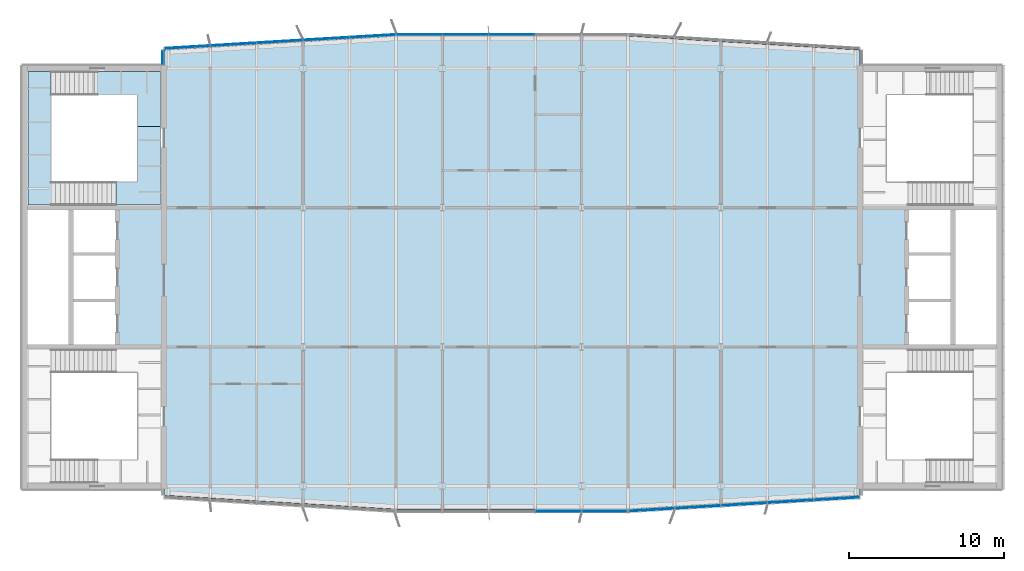
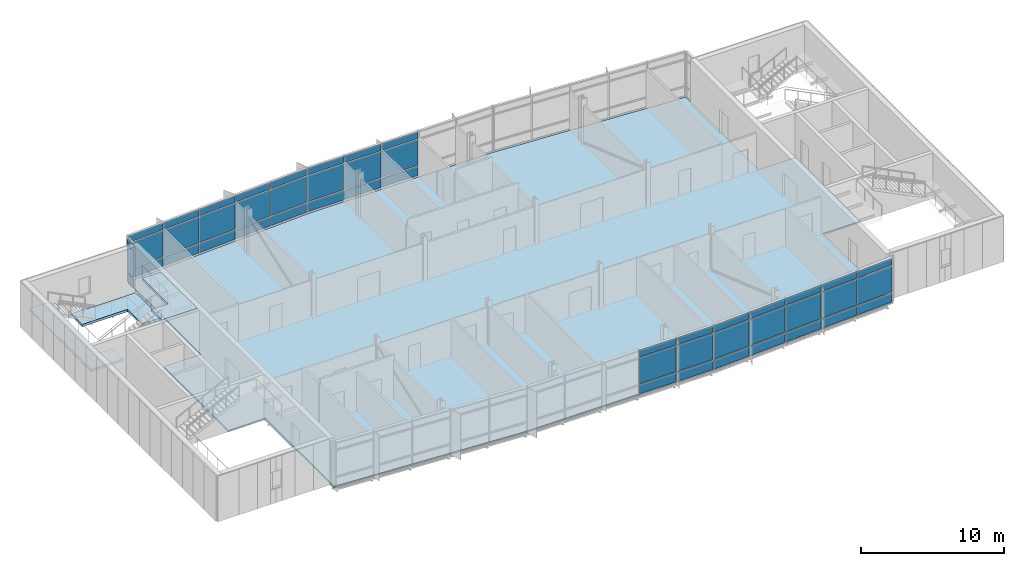
# One storey, part 11 of 21: 48 plates, 4 slabs, 6 elements without a shape of their own.
"""IFC4 building model written with IfcOpenShell, lengths in metres."""

from ifc_helpers import new_model, si_unit, direction, frame, origin, origin_2d, place, context, subcontext, project, spatial, polyline, rectangle, outline, extrude, material, layer, layer_set, type_object, element, aggregate, save


model = new_model("IFC4")

# Units and contexts
model_context = context("Model", 3, precision=1e-05, world=origin(), true_north=direction((0.0, 1.0)))
body_context = subcontext(model_context, "Body", "Model", "MODEL_VIEW")
ifc_project = project(units=[si_unit("LENGTHUNIT", "METRE"), si_unit("AREAUNIT", "SQUARE_METRE"), si_unit("VOLUMEUNIT", "CUBIC_METRE"), si_unit("PLANEANGLEUNIT", "RADIAN"), si_unit("MASSUNIT", "GRAM", prefix="KILO")], contexts=[model_context])

# Site, building, storey
site_placement = place(None, origin())
site = spatial("IfcSite", under=ifc_project, at=site_placement, CompositionType="ELEMENT")
building_placement = place(site_placement, origin())
building = spatial("IfcBuilding", under=site, at=building_placement, Name="Azimuth Sports and Learning Centre", CompositionType="ELEMENT")
storey_placement = place(building_placement, frame((0.0, 0.0, 48.0)))
storey = spatial("IfcBuildingStorey", under=building, at=storey_placement, Name="L10", CompositionType="ELEMENT", Elevation=48.0)

# Slab
ifc_material_1 = material(Name="Concrete C30/37", Category="concrete")
ifc_layer_1 = layer(ifc_material_1, 0.1298828125)
ifc_layer_set_1 = layer_set([ifc_layer_1], Name="Concrete C30/37")
slab_type_1 = type_object("IfcSlabType", Name="Composite floor slab 130", PredefinedType="FLOOR", material=ifc_layer_set_1)
slab_1_placement = place(storey_placement, frame((0.0, 0.0, -0.1298828125)))
element("IfcSlab", 1, at=slab_1_placement, inside=storey, type_object=slab_type_1, Name="Slab TOWER L10", PredefinedType="FLOOR", context=body_context, shape_type="SweptSolid", body=[
    extrude(outline(polyline([(78.0, 88.5), (93.0, 88.5), (108.0, 89.39990234375), (108.0, 99.0), (111.0, 99.0), (111.0, 108.0), (108.0, 108.0), (108.0, 118.199951171875), (93.0, 119.10009765625), (78.0, 119.10009765625), (63.0, 118.199951171875), (63.0, 108.0), (60.0, 108.0), (60.0, 99.0), (63.0, 99.0), (63.0, 89.39990234375), (78.0, 88.5)])), origin(), (0.0, 0.0, 1.0), 0.1298828125),
])

# Stair, slabs
ifc_material_2 = material(Name="Concrete C32/40", Category="concrete")
stair_type = type_object("IfcStairType", Name="Square-well stair core 3900 storey", PredefinedType="THREE_QUARTER_TURN_STAIR", material=ifc_material_2)
stair_placement = place(storey_placement, origin())
stair = element("IfcStair", 2, at=stair_placement, inside=storey, type_object=stair_type, Name="Stair W2 L10-L11", PredefinedType="THREE_QUARTER_TURN_STAIR")
ifc_material_3 = material(Name="Concrete C32/40", Category="concrete")
ifc_layer_2 = layer(ifc_material_3, 0.199951171875)
ifc_layer_set_2 = layer_set([ifc_layer_2], Name="Concrete C32/40")
slab_type_2 = type_object("IfcSlabType", Name="Concrete stair landing", PredefinedType="LANDING", material=ifc_layer_set_2)
slab_2_placement = place(storey_placement, frame((0.0, 0.0, -0.199951171875)))
slab_2 = element("IfcSlab", 3, at=slab_2_placement, type_object=slab_type_2, Name="Stair W2 L10 landing 1", PredefinedType="LANDING", context=body_context, shape_type="SweptSolid", body=[
    extrude(outline(polyline([(57.610107421875, 115.2900390625), (61.2900390625, 115.2900390625), (61.2900390625, 113.25), (62.7900390625, 113.25), (62.7900390625, 116.7900390625), (57.610107421875, 116.7900390625), (57.610107421875, 115.2900390625)])), origin(), (0.0, 0.0, 1.0), 0.199951171875),
])
slab_3_placement = place(storey_placement, frame((0.0, 0.0, 1.449951171875)))
slab_3 = element("IfcSlab", 4, at=slab_3_placement, type_object=slab_type_2, Name="Stair W2 L10 landing 2", PredefinedType="LANDING", context=body_context, shape_type="SweptSolid", body=[
    extrude(outline(polyline([(55.7099609375, 115.2900390625), (55.710693359375, 115.2900390625), (55.710693359375, 116.7900390625), (54.2099609375, 116.7900390625), (54.2099609375, 108.159912109375), (56.81005859375, 108.159912109375), (56.81005859375, 109.659912109375), (55.7099609375, 109.659912109375), (55.7099609375, 115.2900390625)])), origin(), (0.0, 0.0, 1.0), 0.199951171875),
])
slab_4_placement = place(storey_placement, frame((0.0, 0.0, 3.699951171875)))
slab_4 = element("IfcSlab", 5, at=slab_4_placement, type_object=slab_type_2, Name="Stair W2 L10 landing 3", PredefinedType="LANDING", context=body_context, shape_type="SweptSolid", body=[
    extrude(outline(polyline([(61.2900390625, 109.659912109375), (59.9091796875, 109.659912109375), (59.9091796875, 108.159912109375), (62.7900390625, 108.159912109375), (62.7900390625, 113.25), (61.2900390625, 113.25), (61.2900390625, 109.659912109375)])), origin(), (0.0, 0.0, 1.0), 0.199951171875),
])
aggregate(stair, [slab_2, slab_3, slab_4])

# Curtain wall, plates
ifc_material_4 = material(Name="Aluminium and glass", Category="aluminium")
curtain_wall_type_1 = type_object("IfcCurtainWallType", Name="Curtain wall tower south 240", PredefinedType="NOTDEFINED", material=ifc_material_4)
curtain_wall_1_placement = place(storey_placement, origin())
curtain_wall_1 = element("IfcCurtainWall", 6, at=curtain_wall_1_placement, inside=storey, type_object=curtain_wall_type_1, Name="Curtain wall CW10-003", PredefinedType="NOTDEFINED")
ifc_material_5 = material(Name="Insulated aluminium panel", Category="aluminium")
ifc_layer_3 = layer(ifc_material_5, 0.050048828125)
ifc_layer_set_3 = layer_set([ifc_layer_3], Name="Insulated aluminium panel")
plate_type_1 = type_object("IfcPlateType", Name="Spandrel panel 50 mm", PredefinedType="CURTAIN_PANEL", material=ifc_layer_set_3)
plate_1_placement = place(storey_placement, frame((88.5, 88.3798828125, 0.10009765625), z_axis=(0.0, 0.0, 1.0), x_axis=(1.0, 0.0, 0.0)))
plate_1 = element("IfcPlate", 7, at=plate_1_placement, type_object=plate_type_1, Name="CW10-003 panel 4.1", PredefinedType="CURTAIN_PANEL", context=body_context, shape_type="SweptSolid", body=[
    extrude(rectangle(XDim=2.929931640625, YDim=0.050048828125, at=origin_2d()), origin(), (0.0, 0.0, 1.0), 0.75),
])
plate_2_placement = place(storey_placement, frame((88.5, 88.3798828125, 3.25), z_axis=(0.0, 0.0, 1.0), x_axis=(1.0, 0.0, 0.0)))
plate_2 = element("IfcPlate", 8, at=plate_2_placement, type_object=plate_type_1, Name="CW10-003 panel 4.3", PredefinedType="CURTAIN_PANEL", context=body_context, shape_type="SweptSolid", body=[
    extrude(rectangle(XDim=2.929931640625, YDim=0.050048828125, at=origin_2d()), origin(), (0.0, 0.0, 1.0), 0.550048828125),
])
plate_3_placement = place(storey_placement, frame((91.482421875, 88.3798828125, 0.10009765625), z_axis=(0.0, 0.0, 1.0), x_axis=(1.0, 0.0, 0.0)))
plate_3 = element("IfcPlate", 9, at=plate_3_placement, type_object=plate_type_1, Name="CW10-003 panel 5.1", PredefinedType="CURTAIN_PANEL", context=body_context, shape_type="SweptSolid", body=[
    extrude(rectangle(XDim=2.89501953125, YDim=0.050048828125, at=origin_2d()), origin(), (0.0, 0.0, 1.0), 0.75),
])
plate_4_placement = place(storey_placement, frame((91.482421875, 88.3798828125, 3.25), z_axis=(0.0, 0.0, 1.0), x_axis=(1.0, 0.0, 0.0)))
plate_4 = element("IfcPlate", 10, at=plate_4_placement, type_object=plate_type_1, Name="CW10-003 panel 5.3", PredefinedType="CURTAIN_PANEL", context=body_context, shape_type="SweptSolid", body=[
    extrude(rectangle(XDim=2.89501953125, YDim=0.050048828125, at=origin_2d()), origin(), (0.0, 0.0, 1.0), 0.550048828125),
])

curtain_wall_2_placement = place(storey_placement, origin())
curtain_wall_2 = element("IfcCurtainWall", 11, at=curtain_wall_2_placement, inside=storey, type_object=curtain_wall_type_1, Name="Curtain wall CW10-004", PredefinedType="NOTDEFINED")
plate_5_placement = place(storey_placement, frame((94.52099609375, 88.470947265625, 0.10009765625), z_axis=(0.0, 0.0, 1.0), x_axis=(0.998204863401, 0.059891991812, 0.0)))
plate_5 = element("IfcPlate", 12, at=plate_5_placement, type_object=plate_type_1, Name="CW10-004 panel 1.1", PredefinedType="CURTAIN_PANEL", context=body_context, shape_type="SweptSolid", body=[
    extrude(rectangle(XDim=2.90771484375, YDim=0.050048828125, at=origin_2d()), origin(), (0.0, 0.0, 1.0), 0.75),
])
plate_6_placement = place(storey_placement, frame((94.52099609375, 88.470947265625, 3.25), z_axis=(0.0, 0.0, 1.0), x_axis=(0.998204863401, 0.059891991812, 0.0)))
plate_6 = element("IfcPlate", 13, at=plate_6_placement, type_object=plate_type_1, Name="CW10-004 panel 1.3", PredefinedType="CURTAIN_PANEL", context=body_context, shape_type="SweptSolid", body=[
    extrude(rectangle(XDim=2.90771484375, YDim=0.050048828125, at=origin_2d()), origin(), (0.0, 0.0, 1.0), 0.550048828125),
])
plate_7_placement = place(storey_placement, frame((97.507080078125, 88.650146484375, 0.10009765625), z_axis=(0.0, 0.0, 1.0), x_axis=(0.998204863401, 0.059891991812, 0.0)))
plate_7 = element("IfcPlate", 14, at=plate_7_placement, type_object=plate_type_1, Name="CW10-004 panel 2.1", PredefinedType="CURTAIN_PANEL", context=body_context, shape_type="SweptSolid", body=[
    extrude(rectangle(XDim=2.935302734375, YDim=0.050048828125, at=origin_2d()), origin(), (0.0, 0.0, 1.0), 0.75),
])
plate_8_placement = place(storey_placement, frame((97.507080078125, 88.650146484375, 3.25), z_axis=(0.0, 0.0, 1.0), x_axis=(0.998204863401, 0.059891991812, 0.0)))
plate_8 = element("IfcPlate", 15, at=plate_8_placement, type_object=plate_type_1, Name="CW10-004 panel 2.3", PredefinedType="CURTAIN_PANEL", context=body_context, shape_type="SweptSolid", body=[
    extrude(rectangle(XDim=2.935302734375, YDim=0.050048828125, at=origin_2d()), origin(), (0.0, 0.0, 1.0), 0.550048828125),
])
plate_9_placement = place(storey_placement, frame((100.507080078125, 88.830322265625, 0.10009765625), z_axis=(0.0, 0.0, 1.0), x_axis=(0.998204863401, 0.059891991812, 0.0)))
plate_9 = element("IfcPlate", 16, at=plate_9_placement, type_object=plate_type_1, Name="CW10-004 panel 3.1", PredefinedType="CURTAIN_PANEL", context=body_context, shape_type="SweptSolid", body=[
    extrude(rectangle(XDim=2.935302734375, YDim=0.050048828125, at=origin_2d()), origin(), (0.0, 0.0, 1.0), 0.75),
])
plate_10_placement = place(storey_placement, frame((100.507080078125, 88.830322265625, 3.25), z_axis=(0.0, 0.0, 1.0), x_axis=(0.998204863401, 0.059891991812, 0.0)))
plate_10 = element("IfcPlate", 17, at=plate_10_placement, type_object=plate_type_1, Name="CW10-004 panel 3.3", PredefinedType="CURTAIN_PANEL", context=body_context, shape_type="SweptSolid", body=[
    extrude(rectangle(XDim=2.935302734375, YDim=0.050048828125, at=origin_2d()), origin(), (0.0, 0.0, 1.0), 0.550048828125),
])
plate_11_placement = place(storey_placement, frame((103.507080078125, 89.01025390625, 0.10009765625), z_axis=(0.0, 0.0, 1.0), x_axis=(0.998204863401, 0.059891991812, 0.0)))
plate_11 = element("IfcPlate", 18, at=plate_11_placement, type_object=plate_type_1, Name="CW10-004 panel 4.1", PredefinedType="CURTAIN_PANEL", context=body_context, shape_type="SweptSolid", body=[
    extrude(rectangle(XDim=2.935302734375, YDim=0.050048828125, at=origin_2d()), origin(), (0.0, 0.0, 1.0), 0.75),
])
plate_12_placement = place(storey_placement, frame((103.507080078125, 89.01025390625, 3.25), z_axis=(0.0, 0.0, 1.0), x_axis=(0.998204863401, 0.059891991812, 0.0)))
plate_12 = element("IfcPlate", 19, at=plate_12_placement, type_object=plate_type_1, Name="CW10-004 panel 4.3", PredefinedType="CURTAIN_PANEL", context=body_context, shape_type="SweptSolid", body=[
    extrude(rectangle(XDim=2.935302734375, YDim=0.050048828125, at=origin_2d()), origin(), (0.0, 0.0, 1.0), 0.550048828125),
])
plate_13_placement = place(storey_placement, frame((106.48974609375, 89.189208984375, 0.10009765625), z_axis=(0.0, 0.0, 1.0), x_axis=(0.998204863401, 0.059891991812, 0.0)))
plate_13 = element("IfcPlate", 20, at=plate_13_placement, type_object=plate_type_1, Name="CW10-004 panel 5.1", PredefinedType="CURTAIN_PANEL", context=body_context, shape_type="SweptSolid", body=[
    extrude(rectangle(XDim=2.900390625, YDim=0.050048828125, at=origin_2d()), origin(), (0.0, 0.0, 1.0), 0.75),
])
plate_14_placement = place(storey_placement, frame((106.48974609375, 89.189208984375, 3.25), z_axis=(0.0, 0.0, 1.0), x_axis=(0.998204863401, 0.059891991812, 0.0)))
plate_14 = element("IfcPlate", 21, at=plate_14_placement, type_object=plate_type_1, Name="CW10-004 panel 5.3", PredefinedType="CURTAIN_PANEL", context=body_context, shape_type="SweptSolid", body=[
    extrude(rectangle(XDim=2.900390625, YDim=0.050048828125, at=origin_2d()), origin(), (0.0, 0.0, 1.0), 0.550048828125),
])

ifc_material_6 = material(Name="Aluminium and glass", Category="aluminium")
curtain_wall_type_2 = type_object("IfcCurtainWallType", Name="Curtain wall tower north 180", PredefinedType="NOTDEFINED", material=ifc_material_6)
curtain_wall_3_placement = place(storey_placement, origin())
curtain_wall_3 = element("IfcCurtainWall", 22, at=curtain_wall_3_placement, inside=storey, type_object=curtain_wall_type_2, Name="Curtain wall CW10-008", PredefinedType="NOTDEFINED")
plate_15_placement = place(storey_placement, frame((85.5, 119.18994140625, 0.10009765625), z_axis=(0.0, 0.0, 1.0), x_axis=(-1.0, 0.0, 0.0)))
plate_15 = element("IfcPlate", 23, at=plate_15_placement, type_object=plate_type_1, Name="CW10-008 panel 3.1", PredefinedType="CURTAIN_PANEL", context=body_context, shape_type="SweptSolid", body=[
    extrude(rectangle(XDim=2.93994140625, YDim=0.050048828125, at=origin_2d()), origin(), (0.0, 0.0, 1.0), 0.75),
])
plate_16_placement = place(storey_placement, frame((85.5, 119.18994140625, 3.25), z_axis=(0.0, 0.0, 1.0), x_axis=(-1.0, 0.0, 0.0)))
plate_16 = element("IfcPlate", 24, at=plate_16_placement, type_object=plate_type_1, Name="CW10-008 panel 3.3", PredefinedType="CURTAIN_PANEL", context=body_context, shape_type="SweptSolid", body=[
    extrude(rectangle(XDim=2.93994140625, YDim=0.050048828125, at=origin_2d()), origin(), (0.0, 0.0, 1.0), 0.550048828125),
])
plate_17_placement = place(storey_placement, frame((82.5, 119.18994140625, 0.10009765625), z_axis=(0.0, 0.0, 1.0), x_axis=(-1.0, 0.0, 0.0)))
plate_17 = element("IfcPlate", 25, at=plate_17_placement, type_object=plate_type_1, Name="CW10-008 panel 4.1", PredefinedType="CURTAIN_PANEL", context=body_context, shape_type="SweptSolid", body=[
    extrude(rectangle(XDim=2.93994140625, YDim=0.050048828125, at=origin_2d()), origin(), (0.0, 0.0, 1.0), 0.75),
])
plate_18_placement = place(storey_placement, frame((82.5, 119.18994140625, 3.25), z_axis=(0.0, 0.0, 1.0), x_axis=(-1.0, 0.0, 0.0)))
plate_18 = element("IfcPlate", 26, at=plate_18_placement, type_object=plate_type_1, Name="CW10-008 panel 4.3", PredefinedType="CURTAIN_PANEL", context=body_context, shape_type="SweptSolid", body=[
    extrude(rectangle(XDim=2.93994140625, YDim=0.050048828125, at=origin_2d()), origin(), (0.0, 0.0, 1.0), 0.550048828125),
])
plate_19_placement = place(storey_placement, frame((79.514892578125, 119.18994140625, 0.10009765625), z_axis=(0.0, 0.0, 1.0), x_axis=(-1.0, 0.0, 0.0)))
plate_19 = element("IfcPlate", 27, at=plate_19_placement, type_object=plate_type_1, Name="CW10-008 panel 5.1", PredefinedType="CURTAIN_PANEL", context=body_context, shape_type="SweptSolid", body=[
    extrude(rectangle(XDim=2.909912109375, YDim=0.050048828125, at=origin_2d()), origin(), (0.0, 0.0, 1.0), 0.75),
])
plate_20_placement = place(storey_placement, frame((79.514892578125, 119.18994140625, 3.25), z_axis=(0.0, 0.0, 1.0), x_axis=(-1.0, 0.0, 0.0)))
plate_20 = element("IfcPlate", 28, at=plate_20_placement, type_object=plate_type_1, Name="CW10-008 panel 5.3", PredefinedType="CURTAIN_PANEL", context=body_context, shape_type="SweptSolid", body=[
    extrude(rectangle(XDim=2.909912109375, YDim=0.050048828125, at=origin_2d()), origin(), (0.0, 0.0, 1.0), 0.550048828125),
])

curtain_wall_4_placement = place(storey_placement, origin())
curtain_wall_4 = element("IfcCurtainWall", 29, at=curtain_wall_4_placement, inside=storey, type_object=curtain_wall_type_2, Name="Curtain wall CW10-009", PredefinedType="NOTDEFINED")
plate_21_placement = place(storey_placement, frame((76.482421875, 119.09912109375, 0.10009765625), z_axis=(0.0, 0.0, 1.0), x_axis=(-0.998204863401, -0.059891991812, 0.0)))
plate_21 = element("IfcPlate", 30, at=plate_21_placement, type_object=plate_type_1, Name="CW10-009 panel 1.1", PredefinedType="CURTAIN_PANEL", context=body_context, shape_type="SweptSolid", body=[
    extrude(rectangle(XDim=2.9208984375, YDim=0.050048828125, at=origin_2d()), origin(), (0.0, 0.0, 1.0), 0.75),
])
plate_22_placement = place(storey_placement, frame((76.482421875, 119.09912109375, 3.25), z_axis=(0.0, 0.0, 1.0), x_axis=(-0.998204863401, -0.059891991812, 0.0)))
plate_22 = element("IfcPlate", 31, at=plate_22_placement, type_object=plate_type_1, Name="CW10-009 panel 1.3", PredefinedType="CURTAIN_PANEL", context=body_context, shape_type="SweptSolid", body=[
    extrude(rectangle(XDim=2.9208984375, YDim=0.050048828125, at=origin_2d()), origin(), (0.0, 0.0, 1.0), 0.550048828125),
])
plate_23_placement = place(storey_placement, frame((73.49462890625, 118.919921875, 0.10009765625), z_axis=(0.0, 0.0, 1.0), x_axis=(-0.998204863401, -0.059891991812, 0.0)))
plate_23 = element("IfcPlate", 32, at=plate_23_placement, type_object=plate_type_1, Name="CW10-009 panel 2.1", PredefinedType="CURTAIN_PANEL", context=body_context, shape_type="SweptSolid", body=[
    extrude(rectangle(XDim=2.9453125, YDim=0.050048828125, at=origin_2d()), origin(), (0.0, 0.0, 1.0), 0.75),
])
plate_24_placement = place(storey_placement, frame((73.49462890625, 118.919921875, 3.25), z_axis=(0.0, 0.0, 1.0), x_axis=(-0.998204863401, -0.059891991812, 0.0)))
plate_24 = element("IfcPlate", 33, at=plate_24_placement, type_object=plate_type_1, Name="CW10-009 panel 2.3", PredefinedType="CURTAIN_PANEL", context=body_context, shape_type="SweptSolid", body=[
    extrude(rectangle(XDim=2.9453125, YDim=0.050048828125, at=origin_2d()), origin(), (0.0, 0.0, 1.0), 0.550048828125),
])
plate_25_placement = place(storey_placement, frame((70.49462890625, 118.73974609375, 0.10009765625), z_axis=(0.0, 0.0, 1.0), x_axis=(-0.998204863401, -0.059891991812, 0.0)))
plate_25 = element("IfcPlate", 34, at=plate_25_placement, type_object=plate_type_1, Name="CW10-009 panel 3.1", PredefinedType="CURTAIN_PANEL", context=body_context, shape_type="SweptSolid", body=[
    extrude(rectangle(XDim=2.9453125, YDim=0.050048828125, at=origin_2d()), origin(), (0.0, 0.0, 1.0), 0.75),
])
plate_26_placement = place(storey_placement, frame((70.49462890625, 118.73974609375, 3.25), z_axis=(0.0, 0.0, 1.0), x_axis=(-0.998204863401, -0.059891991812, 0.0)))
plate_26 = element("IfcPlate", 35, at=plate_26_placement, type_object=plate_type_1, Name="CW10-009 panel 3.3", PredefinedType="CURTAIN_PANEL", context=body_context, shape_type="SweptSolid", body=[
    extrude(rectangle(XDim=2.9453125, YDim=0.050048828125, at=origin_2d()), origin(), (0.0, 0.0, 1.0), 0.550048828125),
])
plate_27_placement = place(storey_placement, frame((67.49462890625, 118.559814453125, 0.10009765625), z_axis=(0.0, 0.0, 1.0), x_axis=(-0.998204863401, -0.059891991812, 0.0)))
plate_27 = element("IfcPlate", 36, at=plate_27_placement, type_object=plate_type_1, Name="CW10-009 panel 4.1", PredefinedType="CURTAIN_PANEL", context=body_context, shape_type="SweptSolid", body=[
    extrude(rectangle(XDim=2.9453125, YDim=0.050048828125, at=origin_2d()), origin(), (0.0, 0.0, 1.0), 0.75),
])
plate_28_placement = place(storey_placement, frame((67.49462890625, 118.559814453125, 3.25), z_axis=(0.0, 0.0, 1.0), x_axis=(-0.998204863401, -0.059891991812, 0.0)))
plate_28 = element("IfcPlate", 37, at=plate_28_placement, type_object=plate_type_1, Name="CW10-009 panel 4.3", PredefinedType="CURTAIN_PANEL", context=body_context, shape_type="SweptSolid", body=[
    extrude(rectangle(XDim=2.9453125, YDim=0.050048828125, at=origin_2d()), origin(), (0.0, 0.0, 1.0), 0.550048828125),
])
plate_29_placement = place(storey_placement, frame((64.509521484375, 118.380859375, 0.10009765625), z_axis=(0.0, 0.0, 1.0), x_axis=(-0.998204863401, -0.059891991812, 0.0)))
plate_29 = element("IfcPlate", 38, at=plate_29_placement, type_object=plate_type_1, Name="CW10-009 panel 5.1", PredefinedType="CURTAIN_PANEL", context=body_context, shape_type="SweptSolid", body=[
    extrude(rectangle(XDim=2.915283203125, YDim=0.050048828125, at=origin_2d()), origin(), (0.0, 0.0, 1.0), 0.75),
])
plate_30_placement = place(storey_placement, frame((64.509521484375, 118.380859375, 3.25), z_axis=(0.0, 0.0, 1.0), x_axis=(-0.998204863401, -0.059891991812, 0.0)))
plate_30 = element("IfcPlate", 39, at=plate_30_placement, type_object=plate_type_1, Name="CW10-009 panel 5.3", PredefinedType="CURTAIN_PANEL", context=body_context, shape_type="SweptSolid", body=[
    extrude(rectangle(XDim=2.915283203125, YDim=0.050048828125, at=origin_2d()), origin(), (0.0, 0.0, 1.0), 0.550048828125),
])

ifc_material_7 = material(Name="Aluminium and glass", Category="aluminium")
curtain_wall_type_3 = type_object("IfcCurtainWallType", Name="Curtain wall tower return 180", PredefinedType="NOTDEFINED", material=ifc_material_7)
curtain_wall_5_placement = place(storey_placement, origin())
curtain_wall_5 = element("IfcCurtainWall", 40, at=curtain_wall_5_placement, inside=storey, type_object=curtain_wall_type_3, Name="Curtain wall CW10-010", PredefinedType="NOTDEFINED")
plate_31_placement = place(storey_placement, frame((62.909912109375, 117.699951171875, 0.10009765625), z_axis=(0.0, 0.0, 1.0), x_axis=(0.0, -1.0, 0.0)))
plate_31 = element("IfcPlate", 41, at=plate_31_placement, type_object=plate_type_1, Name="CW10-010 panel 1.1", PredefinedType="CURTAIN_PANEL", context=body_context, shape_type="SweptSolid", body=[
    extrude(rectangle(XDim=0.8798828125, YDim=0.050048828125, at=origin_2d()), origin(), (0.0, 0.0, 1.0), 0.75),
])
plate_32_placement = place(storey_placement, frame((62.909912109375, 117.699951171875, 3.25), z_axis=(0.0, 0.0, 1.0), x_axis=(0.0, -1.0, 0.0)))
plate_32 = element("IfcPlate", 42, at=plate_32_placement, type_object=plate_type_1, Name="CW10-010 panel 1.3", PredefinedType="CURTAIN_PANEL", context=body_context, shape_type="SweptSolid", body=[
    extrude(rectangle(XDim=0.8798828125, YDim=0.050048828125, at=origin_2d()), origin(), (0.0, 0.0, 1.0), 0.550048828125),
])

# Plate
ifc_material_8 = material(Name="Glass", Category="glass")
ifc_layer_4 = layer(ifc_material_8, 0.031982421875)
ifc_layer_set_4 = layer_set([ifc_layer_4], Name="Glass")
plate_type_2 = type_object("IfcPlateType", Name="Vision glass 32 mm", PredefinedType="CURTAIN_PANEL", material=ifc_layer_set_4)
plate_33_placement = place(storey_placement, frame((88.5, 88.3798828125, 0.9501953125), z_axis=(0.0, 0.0, 1.0), x_axis=(1.0, 0.0, 0.0)))
plate_33 = element("IfcPlate", 43, at=plate_33_placement, type_object=plate_type_2, Name="CW10-003 panel 4.2", PredefinedType="CURTAIN_PANEL", context=body_context, shape_type="SweptSolid", body=[
    extrude(rectangle(XDim=2.929931640625, YDim=0.031982421875, at=origin_2d()), origin(), (0.0, 0.0, 1.0), 2.199951171875),
])

plate_34_placement = place(storey_placement, frame((91.482421875, 88.3798828125, 0.9501953125), z_axis=(0.0, 0.0, 1.0), x_axis=(1.0, 0.0, 0.0)))
plate_34 = element("IfcPlate", 44, at=plate_34_placement, type_object=plate_type_2, Name="CW10-003 panel 5.2", PredefinedType="CURTAIN_PANEL", context=body_context, shape_type="SweptSolid", body=[
    extrude(rectangle(XDim=2.89501953125, YDim=0.031982421875, at=origin_2d()), origin(), (0.0, 0.0, 1.0), 2.199951171875),
])

aggregate(curtain_wall_1, [plate_1, plate_33, plate_2, plate_3, plate_34, plate_4])

plate_35_placement = place(storey_placement, frame((94.52099609375, 88.470947265625, 0.9501953125), z_axis=(0.0, 0.0, 1.0), x_axis=(0.998204863401, 0.059891991812, 0.0)))
plate_35 = element("IfcPlate", 45, at=plate_35_placement, type_object=plate_type_2, Name="CW10-004 panel 1.2", PredefinedType="CURTAIN_PANEL", context=body_context, shape_type="SweptSolid", body=[
    extrude(rectangle(XDim=2.90771484375, YDim=0.031982421875, at=origin_2d()), origin(), (0.0, 0.0, 1.0), 2.199951171875),
])

plate_36_placement = place(storey_placement, frame((97.507080078125, 88.650146484375, 0.9501953125), z_axis=(0.0, 0.0, 1.0), x_axis=(0.998204863401, 0.059891991812, 0.0)))
plate_36 = element("IfcPlate", 46, at=plate_36_placement, type_object=plate_type_2, Name="CW10-004 panel 2.2", PredefinedType="CURTAIN_PANEL", context=body_context, shape_type="SweptSolid", body=[
    extrude(rectangle(XDim=2.935302734375, YDim=0.031982421875, at=origin_2d()), origin(), (0.0, 0.0, 1.0), 2.199951171875),
])

plate_37_placement = place(storey_placement, frame((100.507080078125, 88.830322265625, 0.9501953125), z_axis=(0.0, 0.0, 1.0), x_axis=(0.998204863401, 0.059891991812, 0.0)))
plate_37 = element("IfcPlate", 47, at=plate_37_placement, type_object=plate_type_2, Name="CW10-004 panel 3.2", PredefinedType="CURTAIN_PANEL", context=body_context, shape_type="SweptSolid", body=[
    extrude(rectangle(XDim=2.935302734375, YDim=0.031982421875, at=origin_2d()), origin(), (0.0, 0.0, 1.0), 2.199951171875),
])

plate_38_placement = place(storey_placement, frame((103.507080078125, 89.01025390625, 0.9501953125), z_axis=(0.0, 0.0, 1.0), x_axis=(0.998204863401, 0.059891991812, 0.0)))
plate_38 = element("IfcPlate", 48, at=plate_38_placement, type_object=plate_type_2, Name="CW10-004 panel 4.2", PredefinedType="CURTAIN_PANEL", context=body_context, shape_type="SweptSolid", body=[
    extrude(rectangle(XDim=2.935302734375, YDim=0.031982421875, at=origin_2d()), origin(), (0.0, 0.0, 1.0), 2.199951171875),
])

plate_39_placement = place(storey_placement, frame((106.48974609375, 89.189208984375, 0.9501953125), z_axis=(0.0, 0.0, 1.0), x_axis=(0.998204863401, 0.059891991812, 0.0)))
plate_39 = element("IfcPlate", 49, at=plate_39_placement, type_object=plate_type_2, Name="CW10-004 panel 5.2", PredefinedType="CURTAIN_PANEL", context=body_context, shape_type="SweptSolid", body=[
    extrude(rectangle(XDim=2.900390625, YDim=0.031982421875, at=origin_2d()), origin(), (0.0, 0.0, 1.0), 2.199951171875),
])

aggregate(curtain_wall_2, [plate_5, plate_35, plate_6, plate_7, plate_36, plate_8, plate_9, plate_37, plate_10, plate_11, plate_38, plate_12, plate_13, plate_39, plate_14])

plate_40_placement = place(storey_placement, frame((85.5, 119.18994140625, 0.9501953125), z_axis=(0.0, 0.0, 1.0), x_axis=(-1.0, 0.0, 0.0)))
plate_40 = element("IfcPlate", 50, at=plate_40_placement, type_object=plate_type_2, Name="CW10-008 panel 3.2", PredefinedType="CURTAIN_PANEL", context=body_context, shape_type="SweptSolid", body=[
    extrude(rectangle(XDim=2.93994140625, YDim=0.031982421875, at=origin_2d()), origin(), (0.0, 0.0, 1.0), 2.199951171875),
])

plate_41_placement = place(storey_placement, frame((82.5, 119.18994140625, 0.9501953125), z_axis=(0.0, 0.0, 1.0), x_axis=(-1.0, 0.0, 0.0)))
plate_41 = element("IfcPlate", 51, at=plate_41_placement, type_object=plate_type_2, Name="CW10-008 panel 4.2", PredefinedType="CURTAIN_PANEL", context=body_context, shape_type="SweptSolid", body=[
    extrude(rectangle(XDim=2.93994140625, YDim=0.031982421875, at=origin_2d()), origin(), (0.0, 0.0, 1.0), 2.199951171875),
])

plate_42_placement = place(storey_placement, frame((79.514892578125, 119.18994140625, 0.9501953125), z_axis=(0.0, 0.0, 1.0), x_axis=(-1.0, 0.0, 0.0)))
plate_42 = element("IfcPlate", 52, at=plate_42_placement, type_object=plate_type_2, Name="CW10-008 panel 5.2", PredefinedType="CURTAIN_PANEL", context=body_context, shape_type="SweptSolid", body=[
    extrude(rectangle(XDim=2.909912109375, YDim=0.031982421875, at=origin_2d()), origin(), (0.0, 0.0, 1.0), 2.199951171875),
])

aggregate(curtain_wall_3, [plate_15, plate_40, plate_16, plate_17, plate_41, plate_18, plate_19, plate_42, plate_20])

plate_43_placement = place(storey_placement, frame((76.482421875, 119.09912109375, 0.9501953125), z_axis=(0.0, 0.0, 1.0), x_axis=(-0.998204863401, -0.059891991812, 0.0)))
plate_43 = element("IfcPlate", 53, at=plate_43_placement, type_object=plate_type_2, Name="CW10-009 panel 1.2", PredefinedType="CURTAIN_PANEL", context=body_context, shape_type="SweptSolid", body=[
    extrude(rectangle(XDim=2.9208984375, YDim=0.031982421875, at=origin_2d()), origin(), (0.0, 0.0, 1.0), 2.199951171875),
])

plate_44_placement = place(storey_placement, frame((73.49462890625, 118.919921875, 0.9501953125), z_axis=(0.0, 0.0, 1.0), x_axis=(-0.998204863401, -0.059891991812, 0.0)))
plate_44 = element("IfcPlate", 54, at=plate_44_placement, type_object=plate_type_2, Name="CW10-009 panel 2.2", PredefinedType="CURTAIN_PANEL", context=body_context, shape_type="SweptSolid", body=[
    extrude(rectangle(XDim=2.9453125, YDim=0.031982421875, at=origin_2d()), origin(), (0.0, 0.0, 1.0), 2.199951171875),
])

plate_45_placement = place(storey_placement, frame((70.49462890625, 118.73974609375, 0.9501953125), z_axis=(0.0, 0.0, 1.0), x_axis=(-0.998204863401, -0.059891991812, 0.0)))
plate_45 = element("IfcPlate", 55, at=plate_45_placement, type_object=plate_type_2, Name="CW10-009 panel 3.2", PredefinedType="CURTAIN_PANEL", context=body_context, shape_type="SweptSolid", body=[
    extrude(rectangle(XDim=2.9453125, YDim=0.031982421875, at=origin_2d()), origin(), (0.0, 0.0, 1.0), 2.199951171875),
])

plate_46_placement = place(storey_placement, frame((67.49462890625, 118.559814453125, 0.9501953125), z_axis=(0.0, 0.0, 1.0), x_axis=(-0.998204863401, -0.059891991812, 0.0)))
plate_46 = element("IfcPlate", 56, at=plate_46_placement, type_object=plate_type_2, Name="CW10-009 panel 4.2", PredefinedType="CURTAIN_PANEL", context=body_context, shape_type="SweptSolid", body=[
    extrude(rectangle(XDim=2.9453125, YDim=0.031982421875, at=origin_2d()), origin(), (0.0, 0.0, 1.0), 2.199951171875),
])

plate_47_placement = place(storey_placement, frame((64.509521484375, 118.380859375, 0.9501953125), z_axis=(0.0, 0.0, 1.0), x_axis=(-0.998204863401, -0.059891991812, 0.0)))
plate_47 = element("IfcPlate", 57, at=plate_47_placement, type_object=plate_type_2, Name="CW10-009 panel 5.2", PredefinedType="CURTAIN_PANEL", context=body_context, shape_type="SweptSolid", body=[
    extrude(rectangle(XDim=2.915283203125, YDim=0.031982421875, at=origin_2d()), origin(), (0.0, 0.0, 1.0), 2.199951171875),
])

aggregate(curtain_wall_4, [plate_21, plate_43, plate_22, plate_23, plate_44, plate_24, plate_25, plate_45, plate_26, plate_27, plate_46, plate_28, plate_29, plate_47, plate_30])

plate_48_placement = place(storey_placement, frame((62.909912109375, 117.699951171875, 0.9501953125), z_axis=(0.0, 0.0, 1.0), x_axis=(0.0, -1.0, 0.0)))
plate_48 = element("IfcPlate", 58, at=plate_48_placement, type_object=plate_type_2, Name="CW10-010 panel 1.2", PredefinedType="CURTAIN_PANEL", context=body_context, shape_type="SweptSolid", body=[
    extrude(rectangle(XDim=0.8798828125, YDim=0.031982421875, at=origin_2d()), origin(), (0.0, 0.0, 1.0), 2.199951171875),
])

aggregate(curtain_wall_5, [plate_31, plate_48, plate_32])

save(model, "model.ifc")
